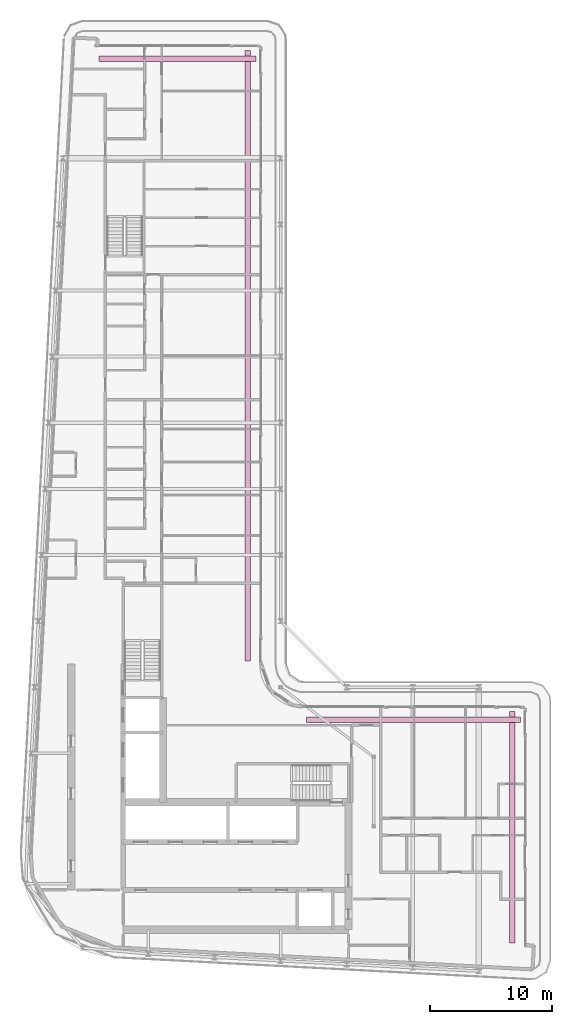
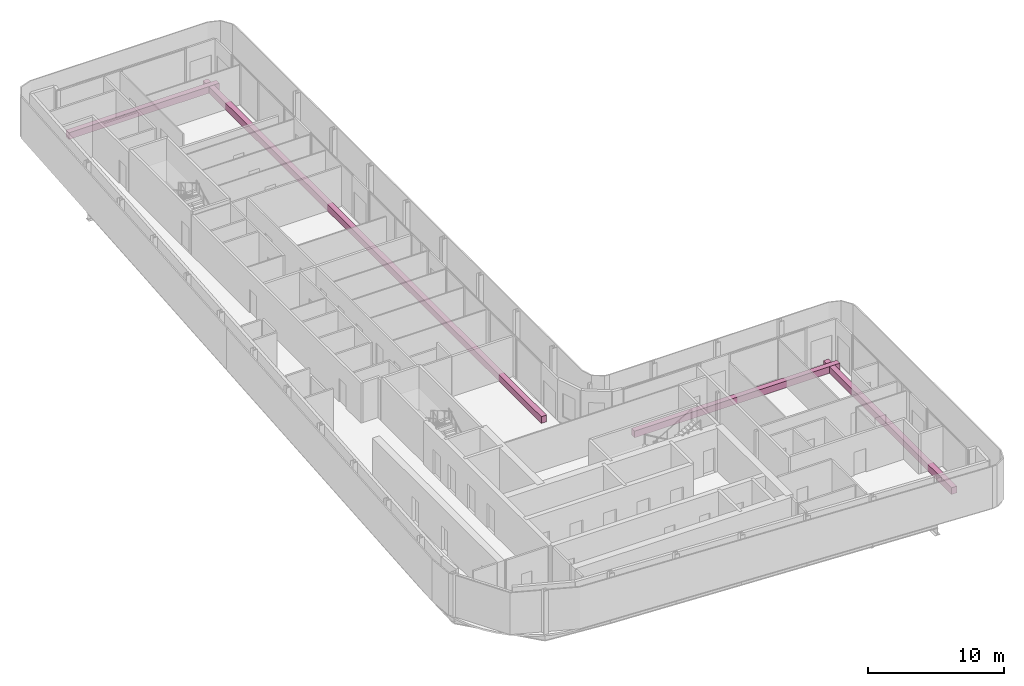
# One storey, part 21 of 21: 4 furniture elements.
"""IFC4 building model written with IfcOpenShell, lengths in metres."""

from ifc_helpers import new_model, si_unit, direction, frame, origin, origin_2d, place, context, subcontext, project, spatial, rectangle, extrude, material, type_object, element, save


model = new_model("IFC4")

# Units and contexts
model_context = context("Model", 3, precision=1e-05, world=origin(), true_north=direction((0.0, 1.0)))
body_context = subcontext(model_context, "Body", "Model", "MODEL_VIEW")
ifc_project = project(units=[si_unit("LENGTHUNIT", "METRE"), si_unit("AREAUNIT", "SQUARE_METRE"), si_unit("VOLUMEUNIT", "CUBIC_METRE"), si_unit("PLANEANGLEUNIT", "RADIAN"), si_unit("MASSUNIT", "GRAM", prefix="KILO")], contexts=[model_context])

# Site, building, storey
site_placement = place(None, origin())
site = spatial("IfcSite", under=ifc_project, at=site_placement, CompositionType="ELEMENT")
building_placement = place(site_placement, origin())
building = spatial("IfcBuilding", under=site, at=building_placement, Name="Kheshtan School and Residences Tower", CompositionType="ELEMENT")
storey_placement = place(building_placement, frame((0.0, 0.0, 313.699951171875)))
storey = spatial("IfcBuildingStorey", under=building, at=storey_placement, Name="L74", CompositionType="ELEMENT", Elevation=313.699951171875)

# Furniture
ifc_material = material(Name="Precast concrete C30/37 in terracotta finish", Category="masonry")
furniture_type = type_object("IfcFurnitureType", Name="Planter trough", AssemblyPlace="NOTDEFINED", PredefinedType="USERDEFINED", material=ifc_material)
furniture_1_placement = place(storey_placement, frame((39.196044921875, 96.925048828125, 0.0), z_axis=(0.0, 0.0, 1.0), x_axis=(1.0, 0.0, 0.0)))
element("IfcFurniture", 1, at=furniture_1_placement, inside=storey, type_object=furniture_type, Name="Planter L74", ObjectType="PLANTER", PredefinedType="USERDEFINED", context=body_context, shape_type="SweptSolid", body=[
    extrude(rectangle(XDim=12.80810546875, YDim=0.449951171875, at=origin_2d()), origin(), (0.0, 0.0, 1.0), 0.60009765625),
])
furniture_2_placement = place(storey_placement, frame((44.925048828125, 72.6650390625, 0.0), z_axis=(0.0, 0.0, 1.0), x_axis=(0.0, -1.0, 0.0)))
element("IfcFurniture", 2, at=furniture_2_placement, inside=storey, type_object=furniture_type, Name="Planter L74", ObjectType="PLANTER", PredefinedType="USERDEFINED", context=body_context, shape_type="SweptSolid", body=[
    extrude(rectangle(XDim=49.8701171875, YDim=0.449951171875, at=origin_2d()), origin(), (0.0, 0.0, 1.0), 0.60009765625),
])
furniture_3_placement = place(storey_placement, frame((58.465087890625, 42.925048828125, 0.0), z_axis=(0.0, 0.0, 1.0), x_axis=(1.0, 0.0, 0.0)))
element("IfcFurniture", 3, at=furniture_3_placement, inside=storey, type_object=furniture_type, Name="Planter L74", ObjectType="PLANTER", PredefinedType="USERDEFINED", context=body_context, shape_type="SweptSolid", body=[
    extrude(rectangle(XDim=17.469970703125, YDim=0.449951171875, at=origin_2d()), origin(), (0.0, 0.0, 1.0), 0.60009765625),
])
furniture_4_placement = place(storey_placement, frame((66.52490234375, 34.159912109375, 0.0), z_axis=(0.0, 0.0, 1.0), x_axis=(0.0, -1.0, 0.0)))
element("IfcFurniture", 4, at=furniture_4_placement, inside=storey, type_object=furniture_type, Name="Planter L74", ObjectType="PLANTER", PredefinedType="USERDEFINED", context=body_context, shape_type="SweptSolid", body=[
    extrude(rectangle(XDim=18.881103515625, YDim=0.449951171875, at=origin_2d()), origin(), (0.0, 0.0, 1.0), 0.60009765625),
])

save(model, "model.ifc")
